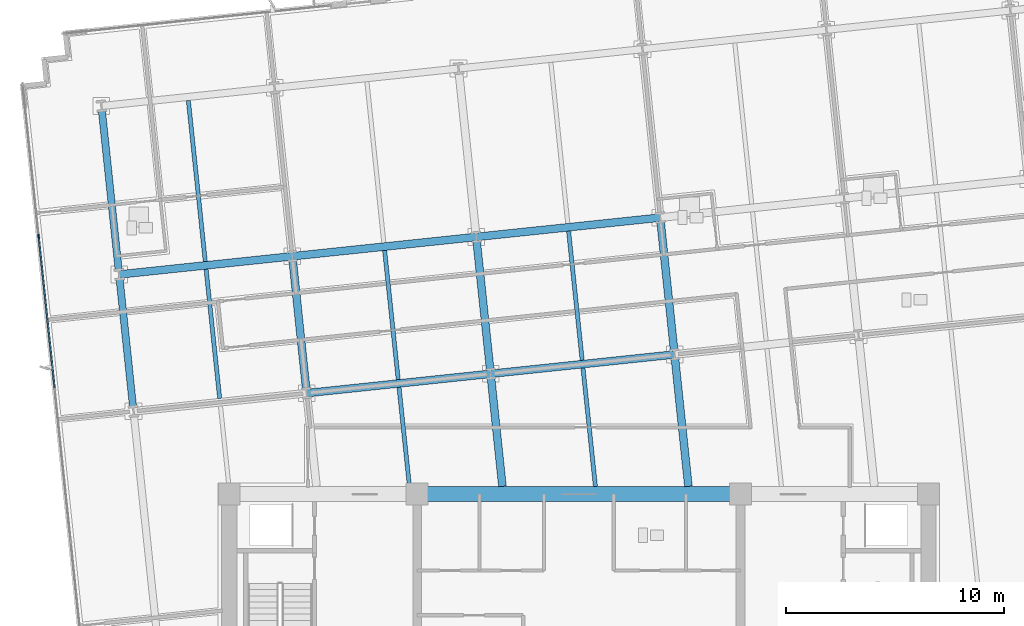
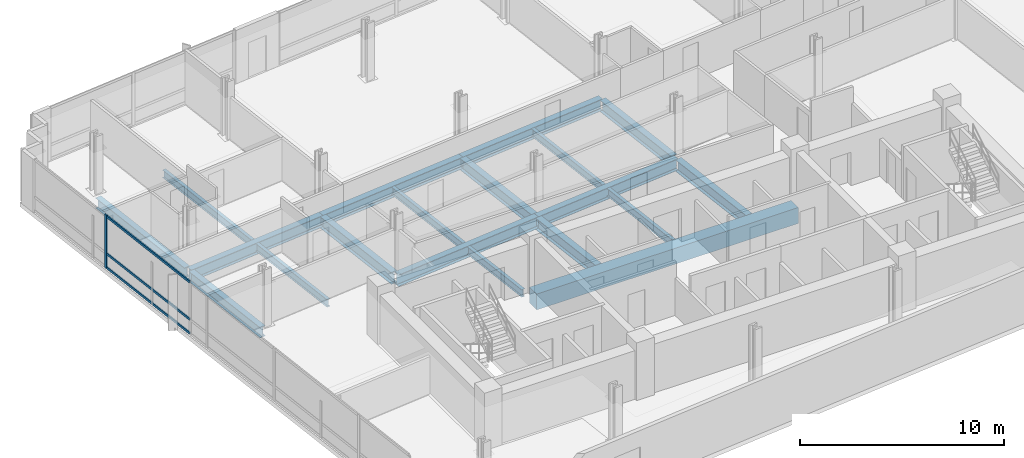
# One storey, part 3 of 18: 19 beams, 4 members, 1 element without a shape of its own.
"""IFC4 building model written with IfcOpenShell, lengths in metres."""

from ifc_helpers import new_model, si_unit, direction, frame, origin, origin_2d, place, context, subcontext, project, spatial, rectangle, i_section, extrude, material, material_profile, profile_set, type_object, element, aggregate, save


model = new_model("IFC4")

# Units and contexts
model_context = context("Model", 3, precision=1e-05, world=origin(), true_north=direction((0.0, 1.0)))
body_context = subcontext(model_context, "Body", "Model", "MODEL_VIEW")
ifc_project = project(units=[si_unit("LENGTHUNIT", "METRE"), si_unit("AREAUNIT", "SQUARE_METRE"), si_unit("VOLUMEUNIT", "CUBIC_METRE"), si_unit("PLANEANGLEUNIT", "RADIAN"), si_unit("MASSUNIT", "GRAM", prefix="KILO")], contexts=[model_context])

# Site, building, storey
site_placement = place(None, origin())
site = spatial("IfcSite", under=ifc_project, at=site_placement, CompositionType="ELEMENT")
building_placement = place(site_placement, origin())
building = spatial("IfcBuilding", under=site, at=building_placement, Name="Solmavex Isthmus Hotel", CompositionType="ELEMENT")
storey_placement = place(building_placement, frame((0.0, 0.0, 123.60009765625)))
storey = spatial("IfcBuildingStorey", under=building, at=storey_placement, Name="L33", CompositionType="ELEMENT", Elevation=123.60009765625)

# Beams
ifc_material_1 = material(Name="Steel ASTM A992 Grade 50", Category="steel")
ifc_material_profile_1 = material_profile(ifc_material_1, i_section(OverallWidth=0.354736328125, OverallDepth=0.695556640625, WebThickness=0.015380859375, FlangeThickness=0.02490234375, FilletRadius=0.017822265625, at=origin_2d()), Name="W27X146")
ifc_profile_set_1 = profile_set([ifc_material_profile_1], Name="Steel ASTM A992 Grade 50")
beam_type_1 = type_object("IfcBeamType", Name="BM-BG-W27X146", PredefinedType="BEAM", material=ifc_profile_set_1)
beam_1_placement = place(storey_placement, frame((-12.458740234375, 2.11865234375, -0.60791015625), z_axis=(0.994521085209, 0.104536171134, 0.0), x_axis=(-0.104536171134, 0.994521085209, 0.0)))
element("IfcBeam", 1, at=beam_1_placement, inside=storey, type_object=beam_type_1, Name="Floor Girder L33-UG08", PredefinedType="BEAM", context=body_context, shape_type="SweptSolid", body=[
    extrude(i_section(OverallWidth=0.354736328125, OverallDepth=0.695556640625, WebThickness=0.015380859375, FlangeThickness=0.02490234375, FilletRadius=0.017822265625, at=origin_2d()), origin(), (0.0, 0.0, 1.0), 8.466064453125),
])
beam_2_placement = place(storey_placement, frame((-4.0390625, 3.003662109375, -0.60791015625), z_axis=(0.994523767887, 0.104510645909, 0.0), x_axis=(-0.104510645909, 0.994523767887, 0.0)))
element("IfcBeam", 2, at=beam_2_placement, inside=storey, type_object=beam_type_1, Name="Floor Girder L33-UG09", PredefinedType="BEAM", context=body_context, shape_type="SweptSolid", body=[
    extrude(i_section(OverallWidth=0.354736328125, OverallDepth=0.695556640625, WebThickness=0.015380859375, FlangeThickness=0.02490234375, FilletRadius=0.017822265625, at=origin_2d()), origin(), (0.0, 0.0, 1.0), 8.4658203125),
])
beam_3_placement = place(storey_placement, frame((-21.04150390625, 7.54931640625, -0.60791015625), z_axis=(0.994523402738, 0.104514120609, 0.0), x_axis=(-0.104514120609, 0.994523402738, 0.0)))
element("IfcBeam", 3, at=beam_3_placement, inside=storey, type_object=beam_type_1, Name="Floor Girder L33-UG13", PredefinedType="BEAM", context=body_context, shape_type="SweptSolid", body=[
    extrude(i_section(OverallWidth=0.354736328125, OverallDepth=0.695556640625, WebThickness=0.015380859375, FlangeThickness=0.02490234375, FilletRadius=0.017822265625, at=origin_2d()), origin(), (0.0, 0.0, 1.0), 7.968017578125),
])
for number, where, z_axis, x_axis, name in (
    (4, (-13.1171875, 8.382080078125, -0.60791015625), (0.994521085209, 0.104536171134, 0.0), (-0.104536171134, 0.994521085209, 0.0), "Floor Girder L33-UG14"),
    (5, (-4.697509765625, 9.26708984375, -0.60791015625), (0.994521085209, 0.104536171134, 0.0), (-0.104536171134, 0.994521085209, 0.0), "Floor Girder L33-UG15"),
):
    element("IfcBeam", number, at=place(storey_placement, frame(where, z_axis=z_axis, x_axis=x_axis)), inside=storey, type_object=beam_type_1, Name=name, PredefinedType="BEAM", context=body_context, shape_type="SweptSolid", body=[
        extrude(i_section(OverallWidth=0.354736328125, OverallDepth=0.695556640625, WebThickness=0.015380859375, FlangeThickness=0.02490234375, FilletRadius=0.017822265625, at=origin_2d()), origin(), (0.0, 0.0, 1.0), 8.466064453125),
    ])
beam_4_placement = place(storey_placement, frame((-12.477294921875, 2.295166015625, -0.60791015625), z_axis=(-0.104545790518, 0.994520074048, 0.0), x_axis=(-0.994520074048, -0.104545790518, 0.0)))
element("IfcBeam", 6, at=beam_4_placement, inside=storey, type_object=beam_type_1, Name="Floor Beam L33-VG30", PredefinedType="BEAM", context=body_context, shape_type="SweptSolid", body=[
    extrude(i_section(OverallWidth=0.354736328125, OverallDepth=0.695556640625, WebThickness=0.015380859375, FlangeThickness=0.02490234375, FilletRadius=0.017822265625, at=origin_2d()), origin(), (0.0, 0.0, 1.0), 5.943115234375),
])
beam_5_placement = place(storey_placement, frame((-3.49755859375, -2.14990234375, -0.60791015625), z_axis=(-0.104496861251, 0.994525216366, 0.0), x_axis=(-0.994525216366, -0.104496861251, 0.0)))
element("IfcBeam", 7, at=beam_5_placement, inside=storey, type_object=beam_type_1, Name="Floor Beam L33-VG33", PredefinedType="BEAM", context=body_context, shape_type="SweptSolid", body=[
    extrude(i_section(OverallWidth=0.354736328125, OverallDepth=0.695556640625, WebThickness=0.015380859375, FlangeThickness=0.02490234375, FilletRadius=0.017822265625, at=origin_2d()), origin(), (0.0, 0.0, 1.0), 5.00439453125),
])
beam_6_placement = place(storey_placement, frame((-4.0576171875, 3.179931640625, -0.60791015625), z_axis=(-0.104545790518, 0.994520074048, 0.0), x_axis=(-0.994520074048, -0.104545790518, 0.0)))
element("IfcBeam", 8, at=beam_6_placement, inside=storey, type_object=beam_type_1, Name="Floor Beam L33-VG34", PredefinedType="BEAM", context=body_context, shape_type="SweptSolid", body=[
    extrude(i_section(OverallWidth=0.354736328125, OverallDepth=0.695556640625, WebThickness=0.015380859375, FlangeThickness=0.02490234375, FilletRadius=0.017822265625, at=origin_2d()), origin(), (0.0, 0.0, 1.0), 5.943115234375),
])
beam_7_placement = place(storey_placement, frame((5.01513671875, -2.14990234375, -0.60791015625), z_axis=(-0.104542482388, 0.994520421799, 0.0), x_axis=(-0.994520421799, -0.104542482388, 0.0)))
element("IfcBeam", 9, at=beam_7_placement, inside=storey, type_object=beam_type_1, Name="Floor Beam L33-VG37", PredefinedType="BEAM", context=body_context, shape_type="SweptSolid", body=[
    extrude(i_section(OverallWidth=0.354736328125, OverallDepth=0.695556640625, WebThickness=0.015380859375, FlangeThickness=0.02490234375, FilletRadius=0.017822265625, at=origin_2d()), origin(), (0.0, 0.0, 1.0), 5.894287109375),
])
beam_8_placement = place(storey_placement, frame((4.362060546875, 4.06494140625, -0.60791015625), z_axis=(-0.104545790518, 0.994520074048, 0.0), x_axis=(-0.994520074048, -0.104545790518, 0.0)))
element("IfcBeam", 10, at=beam_8_placement, inside=storey, type_object=beam_type_1, Name="Floor Beam L33-VG38", PredefinedType="BEAM", context=body_context, shape_type="SweptSolid", body=[
    extrude(i_section(OverallWidth=0.354736328125, OverallDepth=0.695556640625, WebThickness=0.015380859375, FlangeThickness=0.02490234375, FilletRadius=0.017822265625, at=origin_2d()), origin(), (0.0, 0.0, 1.0), 5.943115234375),
])
ifc_material_profile_2 = material_profile(ifc_material_1, i_section(OverallWidth=0.1904296875, OverallDepth=0.456787109375, WebThickness=0.009033203125, FlangeThickness=0.014404296875, FilletRadius=0.0126953125, at=origin_2d()), Name="W18X50")
ifc_profile_set_2 = profile_set([ifc_material_profile_2], Name="Steel ASTM A992 Grade 50")
beam_type_2 = type_object("IfcBeamType", Name="BM-BJ-W18X50", PredefinedType="JOIST", material=ifc_profile_set_2)
beam_9_placement = place(storey_placement, frame((-16.439453125, 1.878662109375, -0.488525390625), z_axis=(-0.104545790518, 0.994520074048, 0.0), x_axis=(-0.994520074048, -0.104545790518, 0.0)))
element("IfcBeam", 11, at=beam_9_placement, inside=storey, type_object=beam_type_2, Name="Secondary Floor Joist L33-J03", PredefinedType="JOIST", context=body_context, shape_type="SweptSolid", body=[
    extrude(i_section(OverallWidth=0.1904296875, OverallDepth=0.456787109375, WebThickness=0.009033203125, FlangeThickness=0.014404296875, FilletRadius=0.0126953125, at=origin_2d()), origin(), (0.0, 0.0, 1.0), 5.943115234375),
])
beam_10_placement = place(storey_placement, frame((-17.097900390625, 8.14208984375, -0.488525390625), z_axis=(-0.104525307271, 0.994522227072, 0.0), x_axis=(-0.994522227072, -0.104525307271, 0.0)))
element("IfcBeam", 12, at=beam_10_placement, inside=storey, type_object=beam_type_2, Name="Secondary Floor Joist L33-J04", PredefinedType="JOIST", context=body_context, shape_type="SweptSolid", body=[
    extrude(i_section(OverallWidth=0.1904296875, OverallDepth=0.456787109375, WebThickness=0.009033203125, FlangeThickness=0.014404296875, FilletRadius=0.0126953125, at=origin_2d()), origin(), (0.0, 0.0, 1.0), 7.4111328125),
])
beam_11_placement = place(storey_placement, frame((-7.75390625, -2.14990234375, -0.488525390625), z_axis=(-0.104517550263, 0.994523042311, 0.0), x_axis=(-0.994523042311, -0.104517550263, 0.0)))
element("IfcBeam", 13, at=beam_11_placement, inside=storey, type_object=beam_type_2, Name="Secondary Floor Joist L33-J06", PredefinedType="JOIST", context=body_context, shape_type="SweptSolid", body=[
    extrude(i_section(OverallWidth=0.1904296875, OverallDepth=0.456787109375, WebThickness=0.009033203125, FlangeThickness=0.014404296875, FilletRadius=0.0126953125, at=origin_2d()), origin(), (0.0, 0.0, 1.0), 4.5595703125),
])
beam_12_placement = place(storey_placement, frame((-8.267578125, 2.737548828125, -0.488525390625), z_axis=(-0.104505160346, 0.994524344328, 0.0), x_axis=(-0.994524344328, -0.104505160346, 0.0)))
element("IfcBeam", 14, at=beam_12_placement, inside=storey, type_object=beam_type_2, Name="Secondary Floor Joist L33-J07", PredefinedType="JOIST", context=body_context, shape_type="SweptSolid", body=[
    extrude(i_section(OverallWidth=0.1904296875, OverallDepth=0.456787109375, WebThickness=0.009033203125, FlangeThickness=0.014404296875, FilletRadius=0.0126953125, at=origin_2d()), origin(), (0.0, 0.0, 1.0), 5.943115234375),
])
beam_13_placement = place(storey_placement, frame((0.7587890625, -2.14990234375, -0.488525390625), z_axis=(-0.104523862956, 0.99452237887, 0.0), x_axis=(-0.99452237887, -0.104523862956, 0.0)))
element("IfcBeam", 15, at=beam_13_placement, inside=storey, type_object=beam_type_2, Name="Secondary Floor Joist L33-J10", PredefinedType="JOIST", context=body_context, shape_type="SweptSolid", body=[
    extrude(i_section(OverallWidth=0.1904296875, OverallDepth=0.456787109375, WebThickness=0.009033203125, FlangeThickness=0.014404296875, FilletRadius=0.0126953125, at=origin_2d()), origin(), (0.0, 0.0, 1.0), 5.44921875),
])
beam_14_placement = place(storey_placement, frame((0.152099609375, 3.62255859375, -0.488525390625), z_axis=(-0.104505160346, 0.994524344328, 0.0), x_axis=(-0.994524344328, -0.104505160346, 0.0)))
element("IfcBeam", 16, at=beam_14_placement, inside=storey, type_object=beam_type_2, Name="Secondary Floor Joist L33-J11", PredefinedType="JOIST", context=body_context, shape_type="SweptSolid", body=[
    extrude(i_section(OverallWidth=0.1904296875, OverallDepth=0.456787109375, WebThickness=0.009033203125, FlangeThickness=0.014404296875, FilletRadius=0.0126953125, at=origin_2d()), origin(), (0.0, 0.0, 1.0), 5.943115234375),
])
ifc_material_2 = material(Name="Concrete C60/75", Category="concrete")
ifc_material_profile_3 = material_profile(ifc_material_2, rectangle(XDim=0.699951171875, YDim=0.949951171875, at=origin_2d()), Name="RC700X950")
ifc_profile_set_3 = profile_set([ifc_material_profile_3], Name="Concrete C60/75")
beam_type_3 = type_object("IfcBeamType", Name="BM-CB-700X950", PredefinedType="BEAM", material=ifc_profile_set_3)
beam_15_placement = place(storey_placement, frame((-7.39990234375, -2.5, -0.735107421875), z_axis=(1.0, 0.0, 0.0), x_axis=(0.0, 1.0, 0.0)))
element("IfcBeam", 17, at=beam_15_placement, inside=storey, type_object=beam_type_3, Name="Core Coupling Beam L33-CB5", PredefinedType="BEAM", context=body_context, shape_type="SweptSolid", body=[
    extrude(rectangle(XDim=0.699951171875, YDim=0.949951171875, at=origin_2d()), origin(), (0.0, 0.0, 1.0), 14.7998046875),
])
ifc_material_profile_4 = material_profile(ifc_material_1, i_section(OverallWidth=0.326416015625, OverallDepth=0.621826171875, WebThickness=0.015380859375, FlangeThickness=0.0244140625, FilletRadius=0.01513671875, at=origin_2d()), Name="W24X131")
ifc_profile_set_4 = profile_set([ifc_material_profile_4], Name="Steel ASTM A992 Grade 50")
beam_type_4 = type_object("IfcBeamType", Name="BM-SP-W24X131", PredefinedType="SPANDREL", material=ifc_profile_set_4)
beam_16_placement = place(storey_placement, frame((-20.401611328125, 1.462158203125, -0.571044921875), z_axis=(-0.104545790518, 0.994520074048, 0.0), x_axis=(-0.994520074048, -0.104545790518, 0.0)))
element("IfcBeam", 18, at=beam_16_placement, inside=storey, type_object=beam_type_4, Name="Floor Beam L33-VG26", PredefinedType="SPANDREL", context=body_context, shape_type="SweptSolid", body=[
    extrude(i_section(OverallWidth=0.326416015625, OverallDepth=0.621826171875, WebThickness=0.015380859375, FlangeThickness=0.0244140625, FilletRadius=0.01513671875, at=origin_2d()), origin(), (0.0, 0.0, 1.0), 5.943115234375),
])
beam_17_placement = place(storey_placement, frame((-21.06005859375, 7.7255859375, -0.571044921875), z_axis=(-0.10452188296, 0.994522586964, 0.0), x_axis=(-0.994522586964, -0.10452188296, 0.0)))
element("IfcBeam", 19, at=beam_17_placement, inside=storey, type_object=beam_type_4, Name="Floor Beam L33-VG27", PredefinedType="SPANDREL", context=body_context, shape_type="SweptSolid", body=[
    extrude(i_section(OverallWidth=0.326416015625, OverallDepth=0.621826171875, WebThickness=0.015380859375, FlangeThickness=0.0244140625, FilletRadius=0.01513671875, at=origin_2d()), origin(), (0.0, 0.0, 1.0), 7.411376953125),
])

# Curtain wall, members
ifc_material_3 = material(Name="Aluminium alloy 6063-T6", Category="aluminium")
curtain_wall_type = type_object("IfcCurtainWallType", Name="CW-SYS-03", PredefinedType="NOTDEFINED", material=ifc_material_3)
curtain_wall_placement = place(storey_placement, origin())
curtain_wall = element("IfcCurtainWall", 20, at=curtain_wall_placement, inside=storey, type_object=curtain_wall_type, Name="Stick Curtain Wall CWL-L33-W1", PredefinedType="NOTDEFINED")
ifc_material_profile_5 = material_profile(ifc_material_3, rectangle(XDim=0.070068359375, YDim=0.179931640625, at=origin_2d()), Name="CWM-70X180")
ifc_profile_set_5 = profile_set([ifc_material_profile_5], Name="Aluminium alloy 6063-T6")
member_type_1 = type_object("IfcMemberType", Name="CW-SYS-03-MUL", PredefinedType="MULLION", material=ifc_profile_set_5)
member_1_placement = place(storey_placement, frame((-24.725341796875, 9.305908203125, 0.0), z_axis=(0.0, 0.0, 1.0), x_axis=(-0.994521893044, -0.104528485381, 0.0)))
member_1 = element("IfcMember", 21, at=member_1_placement, type_object=member_type_1, Name="CW-03 mullion 5", PredefinedType="MULLION", context=body_context, shape_type="SweptSolid", body=[
    extrude(rectangle(XDim=0.070068359375, YDim=0.179931640625, at=origin_2d()), origin(), (0.0, 0.0, 1.0), 3.18994140625),
])
ifc_material_profile_6 = material_profile(ifc_material_3, rectangle(XDim=0.070068359375, YDim=0.139892578125, at=origin_2d()), Name="CWT-70X140")
ifc_profile_set_6 = profile_set([ifc_material_profile_6], Name="Aluminium alloy 6063-T6")
member_type_2 = type_object("IfcMemberType", Name="CW-SYS-03-TRN", PredefinedType="USERDEFINED", material=ifc_profile_set_6)
member_2_placement = place(storey_placement, frame((-23.9951171875, 2.359130859375, 0.06982421875), z_axis=(-0.104542152467, 0.99452045648, 0.0), x_axis=(-0.99452045648, -0.104542152467, 0.0)))
member_2 = element("IfcMember", 22, at=member_2_placement, type_object=member_type_2, Name="CW-03 transom 4.1", ObjectType="TRANSOM", PredefinedType="USERDEFINED", context=body_context, shape_type="SweptSolid", body=[
    extrude(rectangle(XDim=0.070068359375, YDim=0.139892578125, at=origin_2d()), origin(), (0.0, 0.0, 1.0), 6.949951171875),
])
member_3_placement = place(storey_placement, frame((-23.9951171875, 2.359130859375, 0.89990234375), z_axis=(-0.104542152467, 0.99452045648, 0.0), x_axis=(-0.99452045648, -0.104542152467, 0.0)))
member_3 = element("IfcMember", 23, at=member_3_placement, type_object=member_type_2, Name="CW-03 transom 4.2", ObjectType="TRANSOM", PredefinedType="USERDEFINED", context=body_context, shape_type="SweptSolid", body=[
    extrude(rectangle(XDim=0.070068359375, YDim=0.139892578125, at=origin_2d()), origin(), (0.0, 0.0, 1.0), 6.949951171875),
])
member_4_placement = place(storey_placement, frame((-23.9951171875, 2.359130859375, 3.119873046875), z_axis=(-0.104542152467, 0.99452045648, 0.0), x_axis=(-0.99452045648, -0.104542152467, 0.0)))
member_4 = element("IfcMember", 24, at=member_4_placement, type_object=member_type_2, Name="CW-03 transom 4.3", ObjectType="TRANSOM", PredefinedType="USERDEFINED", context=body_context, shape_type="SweptSolid", body=[
    extrude(rectangle(XDim=0.070068359375, YDim=0.139892578125, at=origin_2d()), origin(), (0.0, 0.0, 1.0), 6.949951171875),
])
aggregate(curtain_wall, [member_1, member_2, member_3, member_4])

save(model, "model.ifc")
